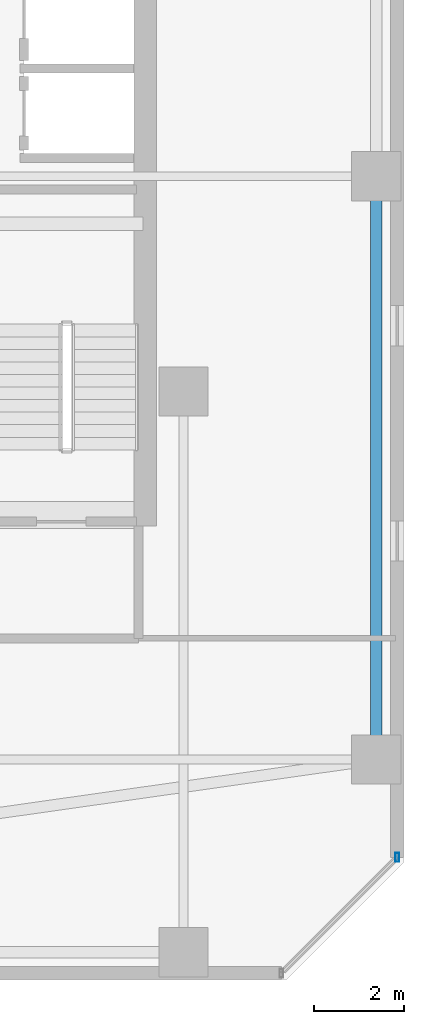
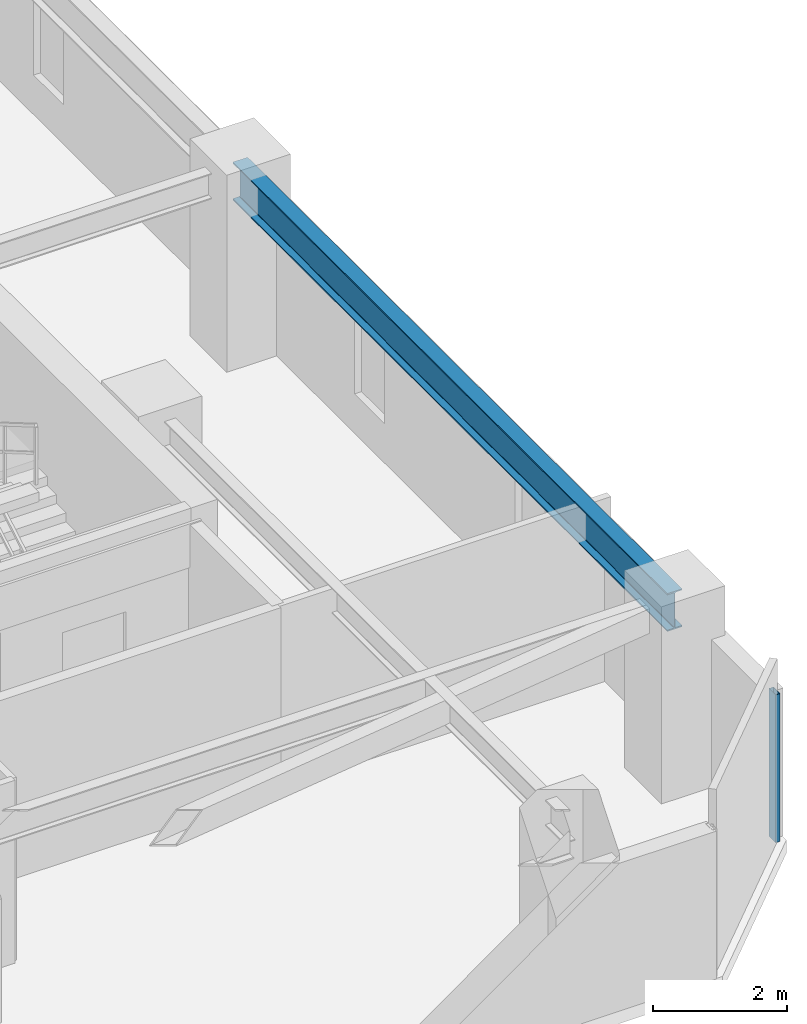
# One storey, part 15 of 33: 1 beam, 1 member, 1 element without a shape of its own.
"""IFC4 building model written with IfcOpenShell, lengths in metres."""

import ifcopenshell
import ifcopenshell.guid

model = None  # the IFC model being written
_history = None  # IfcOwnerHistory: only IFC2X3 demands one
_inside = {}  # id of a spatial element -> (the spatial element, [elements in it])
_under = {}  # id of a project, library or spatial element -> (it, [spatial elements below it])
_declared = {}  # id of a project -> (the project, [libraries it declares])
_typed = {}  # id of a type object -> (the type object, [elements of that type])
_made_of = {}  # id of a material, layer set ... -> (it, [elements and type objects made of it])


def new_model(schema):
    """Start an empty IFC model of exactly this schema.

    Asked for "IFC4X3", IfcOpenShell would pick the latest addendum, in which some entities
    have other attributes; the version numbers below select the first issue.
    IFC2X3 requires an IfcOwnerHistory on every rooted entity: one is made here for all.
    """
    global model, _history
    if schema == "IFC4X3":
        model = ifcopenshell.file(schema_version=(4, 3, 0, 0))
    else:
        model = ifcopenshell.file(schema=schema)
    _inside.clear()
    _under.clear()
    _declared.clear()
    _typed.clear()
    _made_of.clear()
    _history = None
    if model.schema == "IFC2X3":
        org = make("IfcOrganization", Name="unknown")
        user = make(
            "IfcPersonAndOrganization",
            ThePerson=make("IfcPerson", FamilyName="unknown"),
            TheOrganization=org,
        )
        app = make(
            "IfcApplication",
            ApplicationDeveloper=org,
            Version="unknown",
            ApplicationFullName="unknown",
            ApplicationIdentifier="unknown",
        )
        _history = make(
            "IfcOwnerHistory",
            OwningUser=user,
            OwningApplication=app,
            ChangeAction="ADDED",
            CreationDate=0,
        )
    return model


def make(cls, **values):
    """One entity of the class cls with the attributes given. An attribute that is None is left unset."""
    return model.create_entity(
        cls, **{name: value for name, value in values.items() if value is not None}
    )


def rooted(cls, **values):
    """An entity with a GlobalId (a new one), such as an element, a storey or a relation."""
    return make(cls, GlobalId=ifcopenshell.guid.new(), OwnerHistory=_history, **values)


def si_unit(unit_type, name, prefix=None):
    """IfcSIUnit, for example si_unit("LENGTHUNIT", "METRE", prefix="MILLI")."""
    return make("IfcSIUnit", UnitType=unit_type, Prefix=prefix, Name=name)


def assignment(units):
    """IfcUnitAssignment: the units of a project."""
    return None if units is None else make("IfcUnitAssignment", Units=units)


def point(xyz):
    """IfcCartesianPoint."""
    return None if xyz is None else make("IfcCartesianPoint", Coordinates=xyz)


def direction(xyz):
    """IfcDirection."""
    return None if xyz is None else make("IfcDirection", DirectionRatios=xyz)


def frame(location, z_axis=None, x_axis=None):
    """IfcAxis2Placement3D, a coordinate frame: its origin and axes. An axis left out is left unset."""
    return make(
        "IfcAxis2Placement3D",
        Location=point(location),
        Axis=direction(z_axis),
        RefDirection=direction(x_axis),
    )


def frame_2d(location, x_axis=None):
    """IfcAxis2Placement2D, a coordinate frame in the plane: its origin and x axis."""
    return make(
        "IfcAxis2Placement2D", Location=point(location), RefDirection=direction(x_axis)
    )


def origin():
    """The frame at (0, 0, 0) with its axes left unset."""
    return frame((0.0, 0.0, 0.0))


def origin_2d():
    """The frame at (0, 0) in the plane with its x axis left unset."""
    return frame_2d((0.0, 0.0))


def place(relative_to, where):
    """IfcLocalPlacement: puts the frame where relative to a parent placement (None: the world)."""
    return make(
        "IfcLocalPlacement", PlacementRelTo=relative_to, RelativePlacement=where
    )


def context(
    kind, dimensions, precision=None, world=None, true_north=None, identifier=None
):
    """IfcGeometricRepresentationContext, for example the 3D "Model" context."""
    return make(
        "IfcGeometricRepresentationContext",
        ContextIdentifier=identifier,
        ContextType=kind,
        CoordinateSpaceDimension=dimensions,
        Precision=precision,
        WorldCoordinateSystem=world,
        TrueNorth=true_north,
    )


def subcontext(parent, identifier, kind, view, scale=None):
    """IfcGeometricRepresentationSubContext, for example "Body" below "Model"."""
    return make(
        "IfcGeometricRepresentationSubContext",
        ContextIdentifier=identifier,
        ContextType=kind,
        ParentContext=parent,
        TargetScale=scale,
        TargetView=view,
    )


def project(units=None, contexts=None):
    """IfcProject with its units and contexts."""
    return rooted(
        "IfcProject",
        Name="project",
        RepresentationContexts=contexts,
        UnitsInContext=assignment(units),
    )


def spatial(cls, under=None, at=None, **own):
    """A site, building, storey or space (cls), placed at a placement, below another one or the project."""
    s = rooted(cls, ObjectPlacement=at, **own)
    if under is not None:
        _under.setdefault(under.id(), (under, []))[1].append(s)
    return s


def profile(cls, at=None, kind="AREA", **sizes):
    """A parametric profile (cls). Its sizes go by their IFC names, for example OverallWidth=200.0."""
    return make(cls, ProfileType=kind, Position=at, **sizes)


def hollow_rectangle(**sizes):
    """IfcRectangleHollowProfileDef."""
    return profile("IfcRectangleHollowProfileDef", **sizes)


def i_section(**sizes):
    """IfcIShapeProfileDef."""
    return profile("IfcIShapeProfileDef", **sizes)


def extrude(swept, where, along, depth):
    """IfcExtrudedAreaSolid: the profile swept, set in the frame where, extruded along a direction by depth."""
    return make(
        "IfcExtrudedAreaSolid",
        SweptArea=swept,
        Position=where,
        ExtrudedDirection=direction(along),
        Depth=depth,
    )


def shape(context_of_items, identifier, shape_type, items):
    """IfcShapeRepresentation: the items that make up one representation, for example the "Body"."""
    return make(
        "IfcShapeRepresentation",
        ContextOfItems=context_of_items,
        RepresentationIdentifier=identifier,
        RepresentationType=shape_type,
        Items=items,
    )


def material(Name=None, Category=None):
    """IfcMaterial."""
    return make("IfcMaterial", Name=Name, Category=Category)


def material_profile(
    of_material, cross_section, Name=None, Category=None, Priority=None
):
    """IfcMaterialProfile: a cross section and its material."""
    return make(
        "IfcMaterialProfile",
        Name=Name,
        Material=of_material,
        Profile=cross_section,
        Priority=Priority,
        Category=Category,
    )


def profile_set(profiles, Name=None, composite=None):
    """IfcMaterialProfileSet."""
    return make(
        "IfcMaterialProfileSet",
        Name=Name,
        MaterialProfiles=profiles,
        CompositeProfile=composite,
    )


def made_of(thing, what):
    """Note that an element or type object is made of a material, layer set ...; save() writes the relation."""
    if what is not None:
        _made_of.setdefault(what.id(), (what, []))[1].append(thing)
    return thing


def type_object(cls, material=None, **own):
    """A type object (cls), such as IfcWallType, which elements share."""
    return made_of(rooted(cls, **own), material)


def element(
    cls,
    number,
    at=None,
    inside=None,
    cuts=None,
    type_object=None,
    material=None,
    context=None,
    identifier="Body",
    shape_type=None,
    held_by="IfcProductDefinitionShape",
    body=None,
    shapes=None,
    **own,
):
    """One element of the class cls, such as IfcWall. Its Tag is "e" and its number.

    at: its placement. inside: the storey or other place that contains it. cuts: it is an
    opening in that element (IfcRelVoidsElement). A single representation is given by context,
    identifier, shape_type and body (its items); several are given by shapes. held_by: the class
    of the entity that holds the representations. save() writes the other relations.
    """
    e = rooted(cls, Tag="e%d" % number, ObjectPlacement=at, **own)
    if body is not None:
        shapes = [shape(context, identifier, shape_type, body)]
    if shapes is not None:
        e.Representation = make(held_by, Representations=shapes)
    if inside is not None:
        _inside.setdefault(inside.id(), (inside, []))[1].append(e)
    if cuts is not None:
        rooted(
            "IfcRelVoidsElement", RelatingBuildingElement=cuts, RelatedOpeningElement=e
        )
    if type_object is not None:
        _typed.setdefault(type_object.id(), (type_object, []))[1].append(e)
    return made_of(e, material)


def aggregate(whole, parts):
    """IfcRelAggregates: a whole, such as a stair, and the parts it consists of."""
    return rooted("IfcRelAggregates", RelatingObject=whole, RelatedObjects=parts)


def save(model, path):
    """Write the relations noted so far, then the file.

    IfcRelAggregates (storeys below a building ...), IfcRelContainedInSpatialStructure (elements
    in a storey), IfcRelDefinesByType, IfcRelAssociatesMaterial and IfcRelDeclares: one each for
    every whole, place, type object, material and project.
    """
    for whole, parts in _under.values():
        aggregate(whole, parts)
    for where, things in _inside.values():
        rooted(
            "IfcRelContainedInSpatialStructure",
            RelatedElements=things,
            RelatingStructure=where,
        )
    for kind, things in _typed.values():
        rooted("IfcRelDefinesByType", RelatedObjects=things, RelatingType=kind)
    for what, things in _made_of.values():
        rooted("IfcRelAssociatesMaterial", RelatedObjects=things, RelatingMaterial=what)
    for by, libraries in _declared.values():
        rooted("IfcRelDeclares", RelatingContext=by, RelatedDefinitions=libraries)
    model.write(path)


model = new_model("IFC4")

# Units and contexts
model_context = context("Model", 3, precision=1e-05, world=origin(), true_north=direction((0.0, 1.0)))
body_context = subcontext(model_context, "Body", "Model", "MODEL_VIEW")
ifc_project = project(units=[si_unit("LENGTHUNIT", "METRE"), si_unit("AREAUNIT", "SQUARE_METRE"), si_unit("VOLUMEUNIT", "CUBIC_METRE"), si_unit("PLANEANGLEUNIT", "RADIAN"), si_unit("MASSUNIT", "GRAM", prefix="KILO")], contexts=[model_context])

# Site, building, storey
site_placement = place(None, origin())
site = spatial("IfcSite", under=ifc_project, at=site_placement, CompositionType="ELEMENT")
building_placement = place(site_placement, origin())
building = spatial("IfcBuilding", under=site, at=building_placement, Name="Thornwick Lancets Civic Towers", CompositionType="ELEMENT")
storey_placement = place(building_placement, frame((0.0, 0.0, 189.300048828125)))
storey = spatial("IfcBuildingStorey", under=building, at=storey_placement, Name="L50", CompositionType="ELEMENT", Elevation=189.300048828125)

# Beam
ifc_material_1 = material(Name="Steel S355JR", Category="steel")
ifc_material_profile_1 = material_profile(ifc_material_1, i_section(OverallWidth=0.255859375, OverallDepth=0.69287109375, WebThickness=0.014404296875, FlangeThickness=0.023681640625, FilletRadius=0.01513671875, at=origin_2d()), Name="UKB 686x254x170")
ifc_profile_set_1 = profile_set([ifc_material_profile_1], Name="Steel S355JR")
beam_type = type_object("IfcBeamType", Name="BM_GIRD_686_170", PredefinedType="BEAM", material=ifc_profile_set_1)
beam_placement = place(storey_placement, frame((105.800048828125, 14.0, 3.013427734375), z_axis=(0.0, 1.0, 0.0), x_axis=(-1.0, 0.0, 0.0)))
element("IfcBeam", 1, at=beam_placement, inside=storey, type_object=beam_type, Name="BM-SPINE-L50-B-0-1", PredefinedType="BEAM", context=body_context, shape_type="SweptSolid", body=[
    extrude(i_section(OverallWidth=0.255859375, OverallDepth=0.69287109375, WebThickness=0.014404296875, FlangeThickness=0.023681640625, FilletRadius=0.01513671875, at=origin_2d()), origin(), (0.0, 0.0, 1.0), 13.0),
])

# Curtain wall, member
ifc_material_2 = material(Name="Mid-zone chamfered-corner unitised glass curtain wall", Category="glass")
curtain_wall_type = type_object("IfcCurtainWallType", Name="CW_SYS_04", PredefinedType="NOTDEFINED", material=ifc_material_2)
curtain_wall_placement = place(storey_placement, origin())
curtain_wall = element("IfcCurtainWall", 2, at=curtain_wall_placement, inside=storey, type_object=curtain_wall_type, Name="L50 Curtain Wall CW-L50-B-E1", PredefinedType="NOTDEFINED")
ifc_material_3 = material(Name="Thermally broken bronze aluminium S355", Category="steel")
ifc_material_profile_2 = material_profile(ifc_material_3, hollow_rectangle(XDim=0.080078125, YDim=0.199951171875, WallThickness=0.006103515625, at=origin_2d()), Name="RHS 200x80x6")
ifc_profile_set_2 = profile_set([ifc_material_profile_2], Name="Thermally broken bronze aluminium S355")
member_type = type_object("IfcMemberType", Name="CW_MUL_200", PredefinedType="MULLION", material=ifc_profile_set_2)
member_placement = place(storey_placement, frame((106.2646484375, 11.818603515625, 0.0), z_axis=(0.0, 0.0, 1.0), x_axis=(1.0, 0.0, 0.0)))
member = element("IfcMember", 3, at=member_placement, type_object=member_type, Name="CW-L50-B-E1 Mullion 1", PredefinedType="MULLION", context=body_context, shape_type="SweptSolid", body=[
    extrude(hollow_rectangle(XDim=0.080078125, YDim=0.199951171875, WallThickness=0.006103515625, at=origin_2d()), origin(), (0.0, 0.0, 1.0), 2.699951171875),
])
aggregate(curtain_wall, [member])

save(model, "model.ifc")
